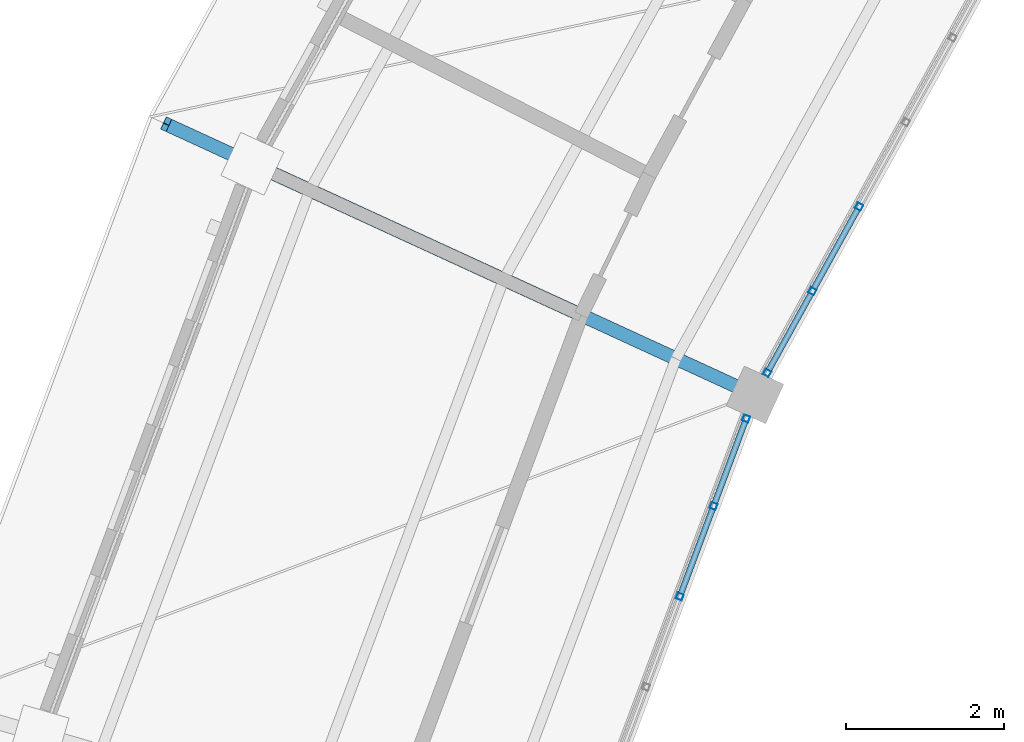
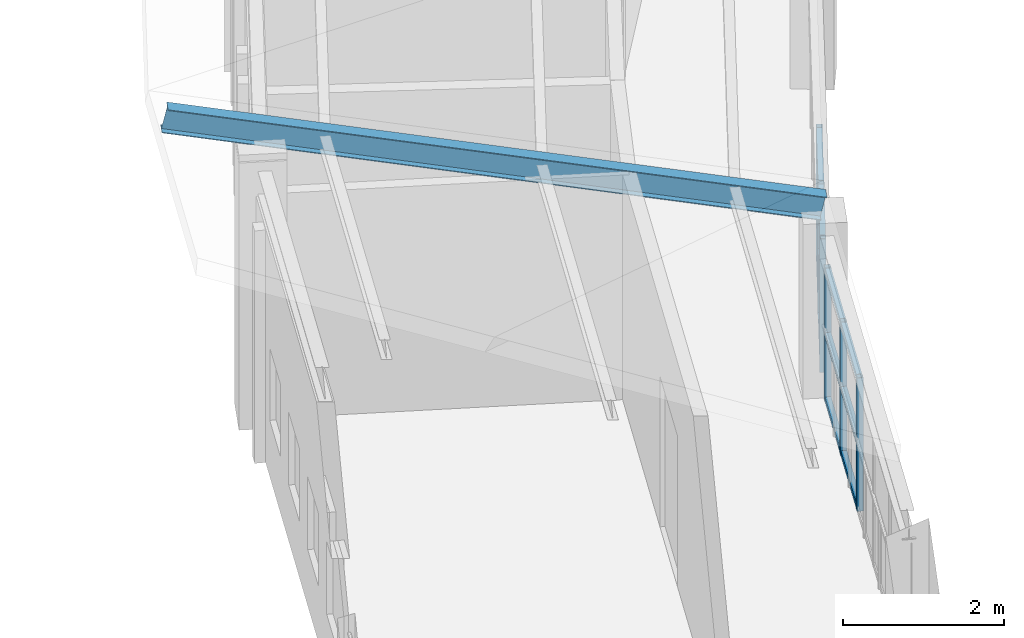
# One storey, part 67 of 149: 19 members, 2 elements without a shape of their own.
"""IFC4 building model written with IfcOpenShell, lengths in metres."""

from ifc_helpers import new_model, si_unit, direction, frame, origin, origin_2d, place, context, subcontext, project, spatial, hollow_rectangle, i_section, extrude, material, material_profile, profile_set, type_object, element, aggregate, save


model = new_model("IFC4")

# Units and contexts
model_context = context("Model", 3, precision=1e-05, world=origin(), true_north=direction((0.0, 1.0)))
body_context = subcontext(model_context, "Body", "Model", "MODEL_VIEW")
ifc_project = project(units=[si_unit("LENGTHUNIT", "METRE"), si_unit("AREAUNIT", "SQUARE_METRE"), si_unit("VOLUMEUNIT", "CUBIC_METRE"), si_unit("PLANEANGLEUNIT", "RADIAN"), si_unit("MASSUNIT", "GRAM", prefix="KILO")], contexts=[model_context])

# Site, building, storey
site_placement = place(None, origin())
site = spatial("IfcSite", under=ifc_project, at=site_placement, CompositionType="ELEMENT")
building_placement = place(site_placement, origin())
building = spatial("IfcBuilding", under=site, at=building_placement, Name="Celadon Cloister-Ring School", CompositionType="ELEMENT")
storey_placement = place(building_placement, frame((0.0, 0.0, 12.5)))
storey = spatial("IfcBuildingStorey", under=building, at=storey_placement, Name="L03", CompositionType="ELEMENT", Elevation=12.5)

# Curtain wall, members
ifc_material_1 = material(Name="Aluminium EN AW-6063 T6", Category="aluminium")
curtain_wall_type = type_object("IfcCurtainWallType", Name="CW-02", PredefinedType="USERDEFINED", material=ifc_material_1)
curtain_wall_1_placement = place(storey_placement, origin())
curtain_wall_1 = element("IfcCurtainWall", 1, at=curtain_wall_1_placement, inside=storey, type_object=curtain_wall_type, Name="Curtain Wall 0047", ObjectType="CURTAIN WALL", PredefinedType="USERDEFINED")
ifc_material_2 = material(Name="Aluminium EN AW-6063 T6", Category="aluminium")
ifc_material_profile_1 = material_profile(ifc_material_2, hollow_rectangle(XDim=0.080078125, YDim=0.080078125, WallThickness=0.00390625, at=origin_2d()), Name="RHS80X80X4")
ifc_profile_set_1 = profile_set([ifc_material_profile_1], Name="Aluminium EN AW-6063 T6")
member_type_1 = type_object("IfcMemberType", Name="CM-03", PredefinedType="MULLION", material=ifc_profile_set_1)
member_1_placement = place(storey_placement, frame((47.433349609375, 80.183349609375, 0.0), z_axis=(0.0, 0.0, 1.0), x_axis=(0.875128442804, -0.483890699018, 0.0)))
member_1 = element("IfcMember", 2, at=member_1_placement, type_object=member_type_1, Name="CW-02 mullion 4", PredefinedType="MULLION", context=body_context, shape_type="SweptSolid", body=[
    extrude(hollow_rectangle(XDim=0.080078125, YDim=0.080078125, WallThickness=0.00390625, at=origin_2d()), origin(), (0.0, 0.0, 1.0), 2.02001953125),
])
member_2_placement = place(storey_placement, frame((46.84228515625, 79.1142578125, 0.0), z_axis=(0.0, 0.0, 1.0), x_axis=(0.875128442804, -0.483890699018, 0.0)))
member_2 = element("IfcMember", 3, at=member_2_placement, type_object=member_type_1, Name="CW-02 mullion 5", PredefinedType="MULLION", context=body_context, shape_type="SweptSolid", body=[
    extrude(hollow_rectangle(XDim=0.080078125, YDim=0.080078125, WallThickness=0.00390625, at=origin_2d()), origin(), (0.0, 0.0, 1.0), 2.02001953125),
])
member_3_placement = place(storey_placement, frame((46.270263671875, 78.080078125, 0.0), z_axis=(0.0, 0.0, 1.0), x_axis=(0.875128442804, -0.483890699018, 0.0)))
member_3 = element("IfcMember", 4, at=member_3_placement, type_object=member_type_1, Name="CW-02 mullion 6", PredefinedType="MULLION", context=body_context, shape_type="SweptSolid", body=[
    extrude(hollow_rectangle(XDim=0.080078125, YDim=0.080078125, WallThickness=0.00390625, at=origin_2d()), origin(), (0.0, 0.0, 1.0), 2.02001953125),
])

curtain_wall_2_placement = place(storey_placement, origin())
curtain_wall_2 = element("IfcCurtainWall", 5, at=curtain_wall_2_placement, inside=storey, type_object=curtain_wall_type, Name="Curtain Wall 0048", ObjectType="CURTAIN WALL", PredefinedType="USERDEFINED")
member_4_placement = place(storey_placement, frame((46.005126953125, 77.50244140625, 0.0), z_axis=(0.0, 0.0, 1.0), x_axis=(0.93694659603, -0.349472568576, 0.0)))
member_4 = element("IfcMember", 6, at=member_4_placement, type_object=member_type_1, Name="CW-02 mullion 1", PredefinedType="MULLION", context=body_context, shape_type="SweptSolid", body=[
    extrude(hollow_rectangle(XDim=0.080078125, YDim=0.080078125, WallThickness=0.00390625, at=origin_2d()), origin(), (0.0, 0.0, 1.0), 2.02001953125),
])
member_5_placement = place(storey_placement, frame((45.592041015625, 76.395263671875, 0.0), z_axis=(0.0, 0.0, 1.0), x_axis=(0.93694659603, -0.349472568576, 0.0)))
member_5 = element("IfcMember", 7, at=member_5_placement, type_object=member_type_1, Name="CW-02 mullion 2", PredefinedType="MULLION", context=body_context, shape_type="SweptSolid", body=[
    extrude(hollow_rectangle(XDim=0.080078125, YDim=0.080078125, WallThickness=0.00390625, at=origin_2d()), origin(), (0.0, 0.0, 1.0), 2.02001953125),
])
member_6_placement = place(storey_placement, frame((45.1650390625, 75.25048828125, 0.0), z_axis=(0.0, 0.0, 1.0), x_axis=(0.93694659603, -0.349472568576, 0.0)))
member_6 = element("IfcMember", 8, at=member_6_placement, type_object=member_type_1, Name="CW-02 mullion 3", PredefinedType="MULLION", context=body_context, shape_type="SweptSolid", body=[
    extrude(hollow_rectangle(XDim=0.080078125, YDim=0.080078125, WallThickness=0.00390625, at=origin_2d()), origin(), (0.0, 0.0, 1.0), 2.02001953125),
])

# Member
ifc_material_3 = material(Name="Aluminium EN AW-6063 T6", Category="aluminium")
ifc_material_profile_2 = material_profile(ifc_material_3, hollow_rectangle(XDim=0.074951171875, YDim=0.074951171875, WallThickness=0.00390625, at=origin_2d()), Name="RHS75X75X4")
ifc_profile_set_2 = profile_set([ifc_material_profile_2], Name="Aluminium EN AW-6063 T6")
member_type_2 = type_object("IfcMemberType", Name="CTM-03", PredefinedType="USERDEFINED", material=ifc_profile_set_2)
member_7_placement = place(storey_placement, frame((47.4140625, 80.1484375, 0.03759765625), z_axis=(-0.483862825126, -0.875143854724, 0.0), x_axis=(0.875143854724, -0.483862825126, 0.0)))
member_7 = element("IfcMember", 9, at=member_7_placement, type_object=member_type_2, Name="CW-02 transom 4.1", ObjectType="TRANSOM", PredefinedType="USERDEFINED", context=body_context, shape_type="SweptSolid", body=[
    extrude(hollow_rectangle(XDim=0.074951171875, YDim=0.074951171875, WallThickness=0.00390625, at=origin_2d()), origin(), (0.0, 0.0, 1.0), 1.141845703125),
])

member_8_placement = place(storey_placement, frame((47.4140625, 80.1484375, 1.010009765625), z_axis=(-0.483862825126, -0.875143854724, 0.0), x_axis=(0.875143854724, -0.483862825126, 0.0)))
member_8 = element("IfcMember", 10, at=member_8_placement, type_object=member_type_2, Name="CW-02 transom 4.2", ObjectType="TRANSOM", PredefinedType="USERDEFINED", context=body_context, shape_type="SweptSolid", body=[
    extrude(hollow_rectangle(XDim=0.074951171875, YDim=0.074951171875, WallThickness=0.00390625, at=origin_2d()), origin(), (0.0, 0.0, 1.0), 1.141845703125),
])

member_9_placement = place(storey_placement, frame((47.4140625, 80.1484375, 1.982421875), z_axis=(-0.483862825126, -0.875143854724, 0.0), x_axis=(0.875143854724, -0.483862825126, 0.0)))
member_9 = element("IfcMember", 11, at=member_9_placement, type_object=member_type_2, Name="CW-02 transom 4.3", ObjectType="TRANSOM", PredefinedType="USERDEFINED", context=body_context, shape_type="SweptSolid", body=[
    extrude(hollow_rectangle(XDim=0.074951171875, YDim=0.074951171875, WallThickness=0.00390625, at=origin_2d()), origin(), (0.0, 0.0, 1.0), 1.141845703125),
])

member_10_placement = place(storey_placement, frame((46.82275390625, 79.0791015625, 0.03759765625), z_axis=(-0.483797799838, -0.875179803738, 0.0), x_axis=(0.875179803738, -0.483797799838, 0.0)))
member_10 = element("IfcMember", 12, at=member_10_placement, type_object=member_type_2, Name="CW-02 transom 5.1", ObjectType="TRANSOM", PredefinedType="USERDEFINED", context=body_context, shape_type="SweptSolid", body=[
    extrude(hollow_rectangle(XDim=0.074951171875, YDim=0.074951171875, WallThickness=0.00390625, at=origin_2d()), origin(), (0.0, 0.0, 1.0), 1.1015625),
])

member_11_placement = place(storey_placement, frame((46.82275390625, 79.0791015625, 1.010009765625), z_axis=(-0.483797799838, -0.875179803738, 0.0), x_axis=(0.875179803738, -0.483797799838, 0.0)))
member_11 = element("IfcMember", 13, at=member_11_placement, type_object=member_type_2, Name="CW-02 transom 5.2", ObjectType="TRANSOM", PredefinedType="USERDEFINED", context=body_context, shape_type="SweptSolid", body=[
    extrude(hollow_rectangle(XDim=0.074951171875, YDim=0.074951171875, WallThickness=0.00390625, at=origin_2d()), origin(), (0.0, 0.0, 1.0), 1.1015625),
])

member_12_placement = place(storey_placement, frame((46.82275390625, 79.0791015625, 1.982421875), z_axis=(-0.483797799838, -0.875179803738, 0.0), x_axis=(0.875179803738, -0.483797799838, 0.0)))
member_12 = element("IfcMember", 14, at=member_12_placement, type_object=member_type_2, Name="CW-02 transom 5.3", ObjectType="TRANSOM", PredefinedType="USERDEFINED", context=body_context, shape_type="SweptSolid", body=[
    extrude(hollow_rectangle(XDim=0.074951171875, YDim=0.074951171875, WallThickness=0.00390625, at=origin_2d()), origin(), (0.0, 0.0, 1.0), 1.1015625),
])

aggregate(curtain_wall_1, [member_1, member_2, member_3, member_7, member_8, member_9, member_10, member_11, member_12])

member_13_placement = place(storey_placement, frame((45.990966796875, 77.465087890625, 0.03759765625), z_axis=(-0.34939893342, -0.936974057979, 0.0), x_axis=(0.936974057979, -0.34939893342, 0.0)))
member_13 = element("IfcMember", 15, at=member_13_placement, type_object=member_type_2, Name="CW-02 transom 1.1", ObjectType="TRANSOM", PredefinedType="USERDEFINED", context=body_context, shape_type="SweptSolid", body=[
    extrude(hollow_rectangle(XDim=0.074951171875, YDim=0.074951171875, WallThickness=0.00390625, at=origin_2d()), origin(), (0.0, 0.0, 1.0), 1.101806640625),
])

member_14_placement = place(storey_placement, frame((45.990966796875, 77.465087890625, 1.010009765625), z_axis=(-0.34939893342, -0.936974057979, 0.0), x_axis=(0.936974057979, -0.34939893342, 0.0)))
member_14 = element("IfcMember", 16, at=member_14_placement, type_object=member_type_2, Name="CW-02 transom 1.2", ObjectType="TRANSOM", PredefinedType="USERDEFINED", context=body_context, shape_type="SweptSolid", body=[
    extrude(hollow_rectangle(XDim=0.074951171875, YDim=0.074951171875, WallThickness=0.00390625, at=origin_2d()), origin(), (0.0, 0.0, 1.0), 1.101806640625),
])

member_15_placement = place(storey_placement, frame((45.990966796875, 77.465087890625, 1.982421875), z_axis=(-0.34939893342, -0.936974057979, 0.0), x_axis=(0.936974057979, -0.34939893342, 0.0)))
member_15 = element("IfcMember", 17, at=member_15_placement, type_object=member_type_2, Name="CW-02 transom 1.3", ObjectType="TRANSOM", PredefinedType="USERDEFINED", context=body_context, shape_type="SweptSolid", body=[
    extrude(hollow_rectangle(XDim=0.074951171875, YDim=0.074951171875, WallThickness=0.00390625, at=origin_2d()), origin(), (0.0, 0.0, 1.0), 1.101806640625),
])

member_16_placement = place(storey_placement, frame((45.578125, 76.357666015625, 0.03759765625), z_axis=(-0.349576513866, -0.936907818813, 0.0), x_axis=(0.936907818813, -0.349576513866, 0.0)))
member_16 = element("IfcMember", 18, at=member_16_placement, type_object=member_type_2, Name="CW-02 transom 2.1", ObjectType="TRANSOM", PredefinedType="USERDEFINED", context=body_context, shape_type="SweptSolid", body=[
    extrude(hollow_rectangle(XDim=0.074951171875, YDim=0.074951171875, WallThickness=0.00390625, at=origin_2d()), origin(), (0.0, 0.0, 1.0), 1.141845703125),
])

member_17_placement = place(storey_placement, frame((45.578125, 76.357666015625, 1.010009765625), z_axis=(-0.349576513866, -0.936907818813, 0.0), x_axis=(0.936907818813, -0.349576513866, 0.0)))
member_17 = element("IfcMember", 19, at=member_17_placement, type_object=member_type_2, Name="CW-02 transom 2.2", ObjectType="TRANSOM", PredefinedType="USERDEFINED", context=body_context, shape_type="SweptSolid", body=[
    extrude(hollow_rectangle(XDim=0.074951171875, YDim=0.074951171875, WallThickness=0.00390625, at=origin_2d()), origin(), (0.0, 0.0, 1.0), 1.141845703125),
])

member_18_placement = place(storey_placement, frame((45.578125, 76.357666015625, 1.982421875), z_axis=(-0.349576513866, -0.936907818813, 0.0), x_axis=(0.936907818813, -0.349576513866, 0.0)))
member_18 = element("IfcMember", 20, at=member_18_placement, type_object=member_type_2, Name="CW-02 transom 2.3", ObjectType="TRANSOM", PredefinedType="USERDEFINED", context=body_context, shape_type="SweptSolid", body=[
    extrude(hollow_rectangle(XDim=0.074951171875, YDim=0.074951171875, WallThickness=0.00390625, at=origin_2d()), origin(), (0.0, 0.0, 1.0), 1.141845703125),
])

aggregate(curtain_wall_2, [member_4, member_5, member_6, member_13, member_14, member_15, member_16, member_17, member_18])

ifc_material_4 = material(Name="Structural steel S355JR", Category="steel")
ifc_material_profile_3 = material_profile(ifc_material_4, i_section(OverallWidth=0.1708984375, OverallDepth=0.35498046875, WebThickness=0.007080078125, FlangeThickness=0.01171875, at=origin_2d()), Name="W360X51")
ifc_profile_set_3 = profile_set([ifc_material_profile_3], Name="Structural steel S355JR")
member_type_3 = type_object("IfcMemberType", Name="MR-05", PredefinedType="RAFTER", material=ifc_profile_set_3)
member_19_placement = place(storey_placement, frame((46.115966796875, 77.801025390625, 2.72607421875), z_axis=(-0.886143393211, 0.407512706437, 0.220642880604), x_axis=(-0.417809768863, -0.908534532664, 0.0)))
element("IfcMember", 21, at=member_19_placement, inside=storey, type_object=member_type_3, Name="Structural Member 0010", PredefinedType="RAFTER", context=body_context, shape_type="SweptSolid", body=[
    extrude(i_section(OverallWidth=0.1708984375, OverallDepth=0.35498046875, WebThickness=0.007080078125, FlangeThickness=0.01171875, at=origin_2d()), origin(), (0.0, 0.0, 1.0), 8.4072265625),
])

save(model, "model.ifc")
